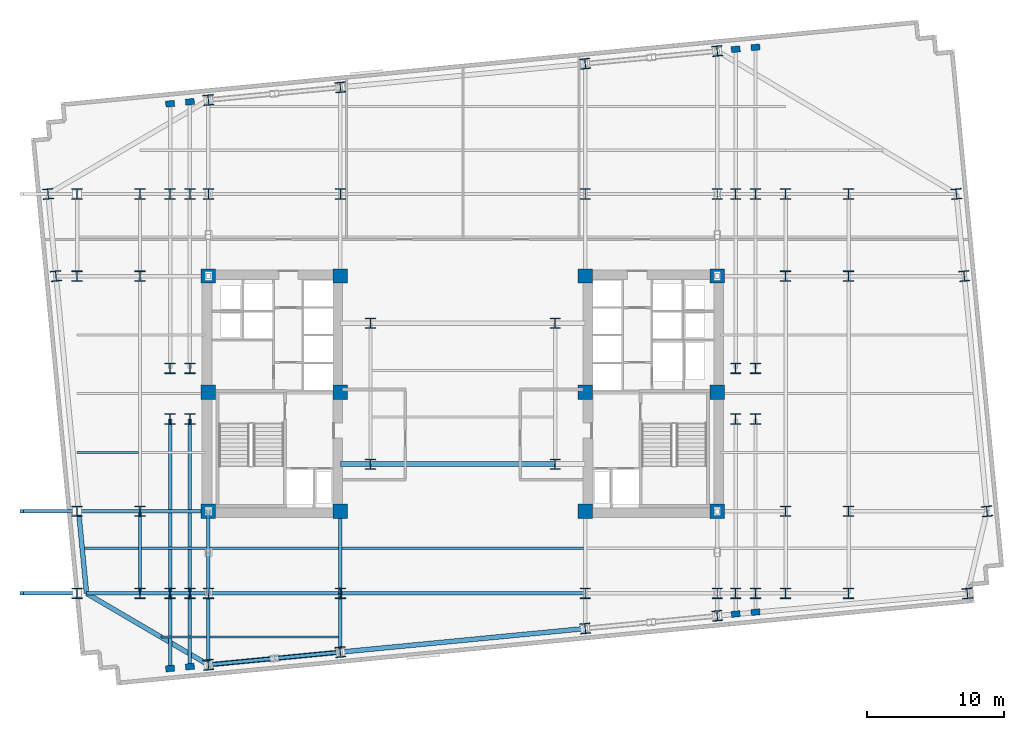
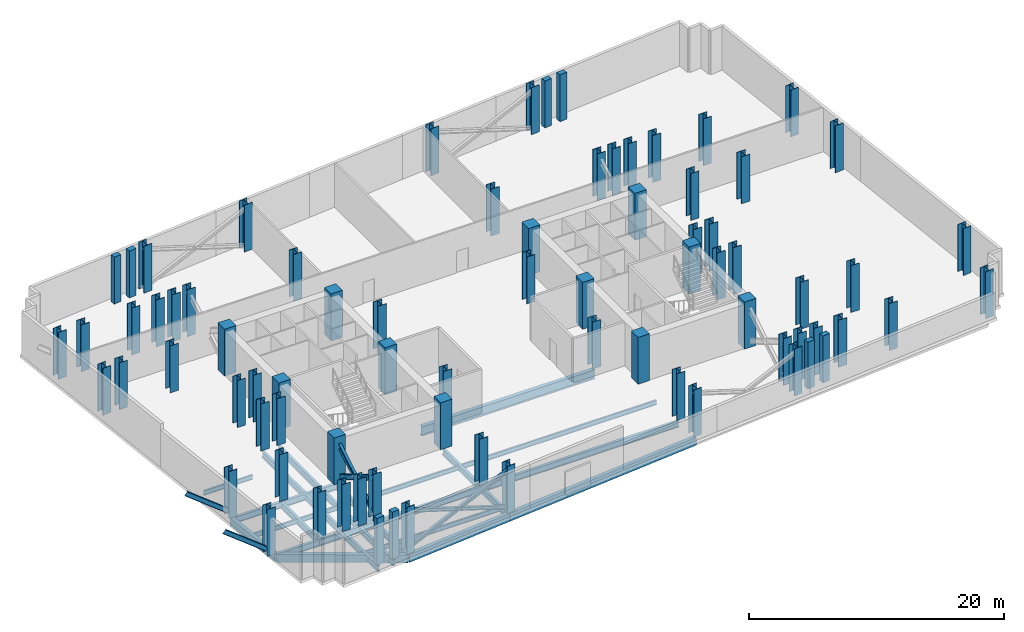
# One storey, part 1 of 9: 78 columns, 28 beams, 8 members.
"""IFC4 building model written with IfcOpenShell, lengths in metres."""

from ifc_helpers import new_model, si_unit, direction, frame, origin, origin_2d, place, context, subcontext, project, spatial, rectangle, i_section, extrude, material, material_profile, profile_set, type_object, element, save


model = new_model("IFC4")

# Units and contexts
model_context = context("Model", 3, precision=1e-05, world=origin(), true_north=direction((0.0, 1.0)))
body_context = subcontext(model_context, "Body", "Model", "MODEL_VIEW")
ifc_project = project(units=[si_unit("LENGTHUNIT", "METRE"), si_unit("AREAUNIT", "SQUARE_METRE"), si_unit("VOLUMEUNIT", "CUBIC_METRE"), si_unit("PLANEANGLEUNIT", "RADIAN"), si_unit("MASSUNIT", "GRAM", prefix="KILO")], contexts=[model_context])

# Site, building, storey
site_placement = place(None, origin())
site = spatial("IfcSite", under=ifc_project, at=site_placement, CompositionType="ELEMENT")
building_placement = place(site_placement, origin())
building = spatial("IfcBuilding", under=site, at=building_placement, Name="Velakula Bourse", CompositionType="ELEMENT")
storey_placement = place(building_placement, frame((0.0, 0.0, 112.14990234375)))
storey = spatial("IfcBuildingStorey", under=building, at=storey_placement, Name="L30", CompositionType="ELEMENT", Elevation=112.14990234375)

# Columns
ifc_material_1 = material(Name="Concrete M70 (fck 70 MPa)", Category="concrete")
ifc_material_profile_1 = material_profile(ifc_material_1, rectangle(XDim=1.050048828125, YDim=1.050048828125, at=origin_2d()), Name="Concrete M70 (fck 70 MPa)")
ifc_profile_set_1 = profile_set([ifc_material_profile_1], Name="Concrete M70 (fck 70 MPa)")
column_type_1 = type_object("IfcColumnType", Name="COL-RC-1050", PredefinedType="COLUMN", material=ifc_profile_set_1)
for number, where, z_axis, x_axis, name in (
    (1, (-8.949951171875, -8.60009765625, 0.0), (0.0, 0.0, 1.0), (1.0, 0.0, 0.0), "L30 Core Boundary Column 01"),
    (2, (-8.949951171875, 0.10009765625, 0.0), (0.0, 0.0, 1.0), (1.0, 0.0, 0.0), "L30 Core Boundary Column 02"),
    (3, (-8.949951171875, 8.60009765625, 0.0), (0.0, 0.0, 1.0), (1.0, 0.0, 0.0), "L30 Core Boundary Column 03"),
    (4, (-18.60009765625, -8.60009765625, 0.0), (0.0, 0.0, 1.0), (1.0, 0.0, 0.0), "L30 Core Boundary Column 04"),
    (5, (-18.60009765625, 0.10009765625, 0.0), (0.0, 0.0, 1.0), (1.0, 0.0, 0.0), "L30 Core Boundary Column 05"),
    (6, (-18.60009765625, 8.60009765625, 0.0), (0.0, 0.0, 1.0), (1.0, 0.0, 0.0), "L30 Core Boundary Column 06"),
    (7, (8.949951171875, -8.60009765625, 0.0), (0.0, 0.0, 1.0), (1.0, 0.0, 0.0), "L30 Core Boundary Column 07"),
    (8, (8.949951171875, 0.10009765625, 0.0), (0.0, 0.0, 1.0), (1.0, 0.0, 0.0), "L30 Core Boundary Column 08"),
    (9, (8.949951171875, 8.60009765625, 0.0), (0.0, 0.0, 1.0), (1.0, 0.0, 0.0), "L30 Core Boundary Column 09"),
    (10, (18.60009765625, -8.60009765625, 0.0), (0.0, 0.0, 1.0), (1.0, 0.0, 0.0), "L30 Core Boundary Column 10"),
    (11, (18.60009765625, 0.10009765625, 0.0), (0.0, 0.0, 1.0), (1.0, 0.0, 0.0), "L30 Core Boundary Column 11"),
    (12, (18.60009765625, 8.60009765625, 0.0), (0.0, 0.0, 1.0), (1.0, 0.0, 0.0), "L30 Core Boundary Column 12"),
):
    element("IfcColumn", number, at=place(storey_placement, frame(where, z_axis=z_axis, x_axis=x_axis)), inside=storey, type_object=column_type_1, Name=name, PredefinedType="COLUMN", context=body_context, shape_type="SweptSolid", body=[
        extrude(rectangle(XDim=1.050048828125, YDim=1.050048828125, at=origin_2d()), origin(), (0.0, 0.0, 1.0), 4.5),
    ])
ifc_material_2 = material(Name="Steel IS 2062 Grade 450 (E450)", Category="steel")
ifc_material_profile_2 = material_profile(ifc_material_2, i_section(OverallWidth=0.75, OverallDepth=0.75, WebThickness=0.030029296875, FlangeThickness=0.0439453125, at=origin_2d()), Name="Steel IS 2062 Grade 450 (E450)")
ifc_profile_set_2 = profile_set([ifc_material_profile_2], Name="Steel IS 2062 Grade 450 (E450)")
column_type_2 = type_object("IfcColumnType", Name="COL-STL-750", PredefinedType="COLUMN", material=ifc_profile_set_2)
for number, where, z_axis, x_axis, name in (
    (13, (-6.75, -5.14990234375, 0.0), (0.0, 0.0, 1.0), (1.0, 0.0, 0.0), "L30 Central Spine Column 01"),
    (14, (-6.75, 5.14990234375, 0.0), (0.0, 0.0, 1.0), (1.0, 0.0, 0.0), "L30 Central Spine Column 02"),
    (15, (6.75, -5.14990234375, 0.0), (0.0, 0.0, 1.0), (1.0, 0.0, 0.0), "L30 Central Spine Column 03"),
    (16, (6.75, 5.14990234375, 0.0), (0.0, 0.0, 1.0), (1.0, 0.0, 0.0), "L30 Central Spine Column 04"),
    (17, (-21.39990234375, -14.60009765625, 0.0), (0.0, 0.0, 1.0), (1.0, 0.0, 0.0), "L30 Tower Fulcrum Column 01"),
    (18, (-21.39990234375, 14.60009765625, 0.0), (0.0, 0.0, 1.0), (1.0, 0.0, 0.0), "L30 Tower Fulcrum Column 02"),
    (19, (-19.949951171875, -14.60009765625, 0.0), (0.0, 0.0, 1.0), (1.0, 0.0, 0.0), "L30 Tower Fulcrum Column 03"),
    (20, (-19.949951171875, 14.60009765625, 0.0), (0.0, 0.0, 1.0), (1.0, 0.0, 0.0), "L30 Tower Fulcrum Column 04"),
    (21, (-18.60009765625, -14.60009765625, 0.0), (0.0, 0.0, 1.0), (1.0, 0.0, 0.0), "L30 Tower Fulcrum Column 05"),
    (22, (-18.60009765625, 14.60009765625, 0.0), (0.0, 0.0, 1.0), (1.0, 0.0, 0.0), "L30 Tower Fulcrum Column 06"),
    (23, (-8.949951171875, -14.60009765625, 0.0), (0.0, 0.0, 1.0), (1.0, 0.0, 0.0), "L30 Tower Fulcrum Column 07"),
    (24, (-8.949951171875, 14.60009765625, 0.0), (0.0, 0.0, 1.0), (1.0, 0.0, 0.0), "L30 Tower Fulcrum Column 08"),
    (25, (8.949951171875, -14.60009765625, 0.0), (0.0, 0.0, 1.0), (1.0, 0.0, 0.0), "L30 Tower Fulcrum Column 09"),
    (26, (8.949951171875, 14.60009765625, 0.0), (0.0, 0.0, 1.0), (1.0, 0.0, 0.0), "L30 Tower Fulcrum Column 10"),
    (27, (18.60009765625, -14.60009765625, 0.0), (0.0, 0.0, 1.0), (1.0, 0.0, 0.0), "L30 Tower Fulcrum Column 11"),
    (28, (18.60009765625, 14.60009765625, 0.0), (0.0, 0.0, 1.0), (1.0, 0.0, 0.0), "L30 Tower Fulcrum Column 12"),
    (29, (19.949951171875, -14.60009765625, 0.0), (0.0, 0.0, 1.0), (1.0, 0.0, 0.0), "L30 Tower Fulcrum Column 13"),
    (30, (19.949951171875, 14.60009765625, 0.0), (0.0, 0.0, 1.0), (1.0, 0.0, 0.0), "L30 Tower Fulcrum Column 14"),
    (31, (21.39990234375, -14.60009765625, 0.0), (0.0, 0.0, 1.0), (1.0, 0.0, 0.0), "L30 Tower Fulcrum Column 15"),
    (32, (21.39990234375, 14.60009765625, 0.0), (0.0, 0.0, 1.0), (1.0, 0.0, 0.0), "L30 Tower Fulcrum Column 16"),
    (33, (-21.39990234375, -1.85009765625, 0.0), (0.0, 0.0, 1.0), (1.0, 0.0, 0.0), "L30 Tower Fulcrum Column 17"),
    (34, (-21.39990234375, 1.85009765625, 0.0), (0.0, 0.0, 1.0), (1.0, 0.0, 0.0), "L30 Tower Fulcrum Column 18"),
    (35, (-19.949951171875, -1.85009765625, 0.0), (0.0, 0.0, 1.0), (1.0, 0.0, 0.0), "L30 Tower Fulcrum Column 19"),
    (36, (-19.949951171875, 1.85009765625, 0.0), (0.0, 0.0, 1.0), (1.0, 0.0, 0.0), "L30 Tower Fulcrum Column 20"),
    (37, (19.949951171875, -1.85009765625, 0.0), (0.0, 0.0, 1.0), (1.0, 0.0, 0.0), "L30 Tower Fulcrum Column 21"),
    (38, (19.949951171875, 1.85009765625, 0.0), (0.0, 0.0, 1.0), (1.0, 0.0, 0.0), "L30 Tower Fulcrum Column 22"),
    (39, (21.39990234375, -1.85009765625, 0.0), (0.0, 0.0, 1.0), (1.0, 0.0, 0.0), "L30 Tower Fulcrum Column 23"),
    (40, (21.39990234375, 1.85009765625, 0.0), (0.0, 0.0, 1.0), (1.0, 0.0, 0.0), "L30 Tower Fulcrum Column 24"),
    (41, (-23.60009765625, -14.60009765625, 0.0), (0.0, 0.0, 1.0), (1.0, 0.0, 0.0), "L30 Mid-Wing Plumb Column 01"),
    (42, (-23.60009765625, -8.60009765625, 0.0), (0.0, 0.0, 1.0), (1.0, 0.0, 0.0), "L30 Mid-Wing Plumb Column 02"),
    (43, (-23.60009765625, 8.60009765625, 0.0), (0.0, 0.0, 1.0), (1.0, 0.0, 0.0), "L30 Mid-Wing Plumb Column 03"),
    (44, (-23.60009765625, 14.60009765625, 0.0), (0.0, 0.0, 1.0), (1.0, 0.0, 0.0), "L30 Mid-Wing Plumb Column 04"),
    (45, (23.60009765625, -14.60009765625, 0.0), (0.0, 0.0, 1.0), (1.0, 0.0, 0.0), "L30 Mid-Wing Plumb Column 05"),
    (46, (23.60009765625, -8.60009765625, 0.0), (0.0, 0.0, 1.0), (1.0, 0.0, 0.0), "L30 Mid-Wing Plumb Column 06"),
    (47, (23.60009765625, 8.60009765625, 0.0), (0.0, 0.0, 1.0), (1.0, 0.0, 0.0), "L30 Mid-Wing Plumb Column 07"),
    (48, (23.60009765625, 14.60009765625, 0.0), (0.0, 0.0, 1.0), (1.0, 0.0, 0.0), "L30 Mid-Wing Plumb Column 08"),
    (49, (-28.199951171875, -14.60009765625, 0.0), (0.0, 0.0, 1.0), (1.0, 0.0, 0.0), "L30 Lower Wing Column 01"),
    (50, (-28.199951171875, -8.60009765625, 0.0), (0.0, 0.0, 1.0), (1.0, 0.0, 0.0), "L30 Lower Wing Column 02"),
    (51, (-28.199951171875, 8.60009765625, 0.0), (0.0, 0.0, 1.0), (1.0, 0.0, 0.0), "L30 Lower Wing Column 03"),
    (52, (-28.199951171875, 14.60009765625, 0.0), (0.0, 0.0, 1.0), (1.0, 0.0, 0.0), "L30 Lower Wing Column 04"),
    (53, (28.199951171875, -14.60009765625, 0.0), (0.0, 0.0, 1.0), (1.0, 0.0, 0.0), "L30 Lower Wing Column 05"),
    (54, (28.199951171875, -8.60009765625, 0.0), (0.0, 0.0, 1.0), (1.0, 0.0, 0.0), "L30 Lower Wing Column 06"),
    (55, (28.199951171875, 8.60009765625, 0.0), (0.0, 0.0, 1.0), (1.0, 0.0, 0.0), "L30 Lower Wing Column 07"),
    (56, (28.199951171875, 14.60009765625, 0.0), (0.0, 0.0, 1.0), (1.0, 0.0, 0.0), "L30 Lower Wing Column 08"),
    (57, (-18.60009765625, -19.8212890625, 0.0), (0.0, 0.0, 1.0), (0.995396198367, 0.09584575252, 0.0), "L30 Block B2 Perimeter Column S1"),
    (58, (-8.949951171875, -18.89208984375, 0.0), (0.0, 0.0, 1.0), (0.995396198367, 0.09584575252, 0.0), "L30 Block B2 Perimeter Column S2"),
    (59, (8.949951171875, -17.16845703125, 0.0), (0.0, 0.0, 1.0), (0.995396198367, 0.09584575252, 0.0), "L30 Block B2 Perimeter Column S3"),
    (60, (18.60009765625, -16.2392578125, 0.0), (0.0, 0.0, 1.0), (0.995396198367, 0.09584575252, 0.0), "L30 Block B2 Perimeter Column S4"),
    (61, (-18.60009765625, 21.468994140625, 0.0), (0.0, 0.0, 1.0), (0.995396198367, 0.09584575252, 0.0), "L30 Block B2 Perimeter Column N1"),
    (62, (-8.949951171875, 22.398193359375, 0.0), (0.0, 0.0, 1.0), (0.995396198367, 0.09584575252, 0.0), "L30 Block B2 Perimeter Column N2"),
    (63, (8.949951171875, 24.12158203125, 0.0), (0.0, 0.0, 1.0), (0.995396198367, 0.09584575252, 0.0), "L30 Block B2 Perimeter Column N3"),
    (64, (18.60009765625, 25.05078125, 0.0), (0.0, 0.0, 1.0), (0.995396198367, 0.09584575252, 0.0), "L30 Block B2 Perimeter Column N4"),
    (65, (-29.7421875, 8.60009765625, 0.0), (0.0, 0.0, 1.0), (0.995396198367, 0.09584575252, 0.0), "L30 Block B2 Perimeter Column W3"),
    (66, (-30.31982421875, 14.60009765625, 0.0), (0.0, 0.0, 1.0), (0.995396198367, 0.09584575252, 0.0), "L30 Block B2 Perimeter Column W4"),
    (67, (36.88818359375, -14.60009765625, 0.0), (0.0, 0.0, 1.0), (0.995396198367, 0.09584575252, 0.0), "L30 Block B2 Perimeter Column E1"),
    (68, (38.31982421875, -8.60009765625, 0.0), (0.0, 0.0, 1.0), (0.995396198367, 0.09584575252, 0.0), "L30 Block B2 Perimeter Column E2"),
    (69, (36.66357421875, 8.60009765625, 0.0), (0.0, 0.0, 1.0), (0.995396198367, 0.09584575252, 0.0), "L30 Block B2 Perimeter Column E3"),
    (70, (36.0859375, 14.60009765625, 0.0), (0.0, 0.0, 1.0), (0.995396198367, 0.09584575252, 0.0), "L30 Block B2 Perimeter Column E4"),
):
    element("IfcColumn", number, at=place(storey_placement, frame(where, z_axis=z_axis, x_axis=x_axis)), inside=storey, type_object=column_type_2, Name=name, PredefinedType="COLUMN", context=body_context, shape_type="SweptSolid", body=[
        extrude(i_section(OverallWidth=0.75, OverallDepth=0.75, WebThickness=0.030029296875, FlangeThickness=0.0439453125, at=origin_2d()), origin(), (0.0, 0.0, 1.0), 4.5),
    ])
ifc_material_3 = material(Name="Precast concrete M45 (fck 45 MPa)", Category="concrete")
ifc_material_profile_3 = material_profile(ifc_material_3, rectangle(XDim=0.64990234375, YDim=0.449951171875, at=origin_2d()), Name="Precast concrete M45 (fck 45 MPa)")
ifc_profile_set_3 = profile_set([ifc_material_profile_3], Name="Precast concrete M45 (fck 45 MPa)")
column_type_3 = type_object("IfcColumnType", Name="PIL-BRICK-650", PredefinedType="PILASTER", material=ifc_profile_set_3)
for number, where, z_axis, x_axis, name in (
    (71, (-21.39990234375, -20.0908203125, 0.0), (0.0, 0.0, 1.0), (0.995396198367, 0.09584575252, 0.0), "L30 Brick Pier Pilaster 01"),
    (72, (-19.949951171875, -19.951171875, 0.0), (0.0, 0.0, 1.0), (0.995396198367, 0.09584575252, 0.0), "L30 Brick Pier Pilaster 02"),
    (73, (19.949951171875, -16.109130859375, 0.0), (0.0, 0.0, 1.0), (0.995396198367, 0.09584575252, 0.0), "L30 Brick Pier Pilaster 03"),
    (74, (21.39990234375, -15.969482421875, 0.0), (0.0, 0.0, 1.0), (0.995396198367, 0.09584575252, 0.0), "L30 Brick Pier Pilaster 04"),
    (75, (-21.39990234375, 21.19921875, 0.0), (0.0, 0.0, 1.0), (0.995396198367, 0.09584575252, 0.0), "L30 Brick Pier Pilaster 05"),
    (76, (-19.949951171875, 21.3388671875, 0.0), (0.0, 0.0, 1.0), (0.995396198367, 0.09584575252, 0.0), "L30 Brick Pier Pilaster 06"),
    (77, (19.949951171875, 25.180908203125, 0.0), (0.0, 0.0, 1.0), (0.995396198367, 0.09584575252, 0.0), "L30 Brick Pier Pilaster 07"),
    (78, (21.39990234375, 25.320556640625, 0.0), (0.0, 0.0, 1.0), (0.995396198367, 0.09584575252, 0.0), "L30 Brick Pier Pilaster 08"),
):
    element("IfcColumn", number, at=place(storey_placement, frame(where, z_axis=z_axis, x_axis=x_axis)), inside=storey, type_object=column_type_3, Name=name, PredefinedType="PILASTER", context=body_context, shape_type="SweptSolid", body=[
        extrude(rectangle(XDim=0.64990234375, YDim=0.449951171875, at=origin_2d()), origin(), (0.0, 0.0, 1.0), 4.5),
    ])

# Beams
ifc_material_4 = material(Name="Steel IS 2062 Grade 350 (E350)", Category="steel")
ifc_material_profile_4 = material_profile(ifc_material_4, i_section(OverallWidth=0.25, OverallDepth=0.60009765625, WebThickness=0.01123046875, FlangeThickness=0.021240234375, at=origin_2d()), Name="Steel IS 2062 Grade 350 (E350)")
ifc_profile_set_4 = profile_set([ifc_material_profile_4], Name="Steel IS 2062 Grade 350 (E350)")
beam_type_1 = type_object("IfcBeamType", Name="BM-GRD-600M", PredefinedType="BEAM", material=ifc_profile_set_4)
for number, where, z_axis, x_axis, name in (
    (79, (-18.60009765625, -14.60009765625, -0.579833984375), (0.0, 1.0, 0.0), (-1.0, 0.0, 0.0), "L30 Fulcrum Grid Girder FLC-WS"),
    (80, (-8.949951171875, -14.60009765625, -0.579833984375), (0.0, 1.0, 0.0), (-1.0, 0.0, 0.0), "L30 Fulcrum Grid Girder FLC-WCS"),
):
    element("IfcBeam", number, at=place(storey_placement, frame(where, z_axis=z_axis, x_axis=x_axis)), inside=storey, type_object=beam_type_1, Name=name, PredefinedType="BEAM", context=body_context, shape_type="SweptSolid", body=[
        extrude(i_section(OverallWidth=0.25, OverallDepth=0.60009765625, WebThickness=0.01123046875, FlangeThickness=0.021240234375, at=origin_2d()), origin(), (0.0, 0.0, 1.0), 6.0),
    ])
beam_1_placement = place(storey_placement, frame((-18.60009765625, -14.60009765625, -0.579833984375), z_axis=(1.0, 0.0, 0.0), x_axis=(0.0, 1.0, 0.0)))
element("IfcBeam", 81, at=beam_1_placement, inside=storey, type_object=beam_type_1, Name="L30 Fulcrum Grid Girder FLC-S1", PredefinedType="BEAM", context=body_context, shape_type="SweptSolid", body=[
    extrude(i_section(OverallWidth=0.25, OverallDepth=0.60009765625, WebThickness=0.01123046875, FlangeThickness=0.021240234375, at=origin_2d()), origin(), (0.0, 0.0, 1.0), 9.650146484375),
])
beam_2_placement = place(storey_placement, frame((-8.949951171875, -14.60009765625, -0.579833984375), z_axis=(1.0, 0.0, 0.0), x_axis=(0.0, 1.0, 0.0)))
element("IfcBeam", 82, at=beam_2_placement, inside=storey, type_object=beam_type_1, Name="L30 Fulcrum Grid Girder FLC-S2", PredefinedType="BEAM", context=body_context, shape_type="SweptSolid", body=[
    extrude(i_section(OverallWidth=0.25, OverallDepth=0.60009765625, WebThickness=0.01123046875, FlangeThickness=0.021240234375, at=origin_2d()), origin(), (0.0, 0.0, 1.0), 17.89990234375),
])
for number, where, z_axis, x_axis, name in (
    (83, (-21.39990234375, -14.60009765625, -0.579833984375), (0.0, 1.0, 0.0), (-1.0, 0.0, 0.0), "L30 Fulcrum Grid Girder FLC-PSW1"),
    (84, (-19.949951171875, -14.60009765625, -0.579833984375), (0.0, 1.0, 0.0), (-1.0, 0.0, 0.0), "L30 Fulcrum Grid Girder FLC-PSW2"),
):
    element("IfcBeam", number, at=place(storey_placement, frame(where, z_axis=z_axis, x_axis=x_axis)), inside=storey, type_object=beam_type_1, Name=name, PredefinedType="BEAM", context=body_context, shape_type="SweptSolid", body=[
        extrude(i_section(OverallWidth=0.25, OverallDepth=0.60009765625, WebThickness=0.01123046875, FlangeThickness=0.021240234375, at=origin_2d()), origin(), (0.0, 0.0, 1.0), 12.75),
    ])
for number, where, z_axis, x_axis, name in (
    (85, (-23.60009765625, -14.60009765625, -0.579833984375), (1.0, 0.0, 0.0), (0.0, 1.0, 0.0), "L30 Fulcrum Grid Girder MWG-WS1"),
    (86, (-23.60009765625, -8.60009765625, -0.579833984375), (1.0, 0.0, 0.0), (0.0, 1.0, 0.0), "L30 Fulcrum Grid Girder MWG-WS2"),
):
    element("IfcBeam", number, at=place(storey_placement, frame(where, z_axis=z_axis, x_axis=x_axis)), inside=storey, type_object=beam_type_1, Name=name, PredefinedType="BEAM", context=body_context, shape_type="SweptSolid", body=[
        extrude(i_section(OverallWidth=0.25, OverallDepth=0.60009765625, WebThickness=0.01123046875, FlangeThickness=0.021240234375, at=origin_2d()), origin(), (0.0, 0.0, 1.0), 5.0),
    ])
beam_3_placement = place(storey_placement, frame((-23.60009765625, -14.60009765625, -0.579833984375), z_axis=(0.0, 1.0, 0.0), x_axis=(-1.0, 0.0, 0.0)))
element("IfcBeam", 87, at=beam_3_placement, inside=storey, type_object=beam_type_1, Name="L30 Fulcrum Grid Girder MWG-WNS1", PredefinedType="BEAM", context=body_context, shape_type="SweptSolid", body=[
    extrude(i_section(OverallWidth=0.25, OverallDepth=0.60009765625, WebThickness=0.01123046875, FlangeThickness=0.021240234375, at=origin_2d()), origin(), (0.0, 0.0, 1.0), 6.0),
])
beam_4_placement = place(storey_placement, frame((-27.50830078125, -14.60009765625, -0.579833984375), z_axis=(1.0, 0.0, 0.0), x_axis=(0.0, 1.0, 0.0)))
element("IfcBeam", 88, at=beam_4_placement, inside=storey, type_object=beam_type_1, Name="L30 Fulcrum Grid Girder WNG-WS1", PredefinedType="BEAM", context=body_context, shape_type="SweptSolid", body=[
    extrude(i_section(OverallWidth=0.25, OverallDepth=0.60009765625, WebThickness=0.01123046875, FlangeThickness=0.021240234375, at=origin_2d()), origin(), (0.0, 0.0, 1.0), 3.908203125),
])
beam_5_placement = place(storey_placement, frame((-28.0859375, -8.60009765625, -0.579833984375), z_axis=(1.0, 0.0, 0.0), x_axis=(0.0, 1.0, 0.0)))
element("IfcBeam", 89, at=beam_5_placement, inside=storey, type_object=beam_type_1, Name="L30 Fulcrum Grid Girder WNG-WS2", PredefinedType="BEAM", context=body_context, shape_type="SweptSolid", body=[
    extrude(i_section(OverallWidth=0.25, OverallDepth=0.60009765625, WebThickness=0.01123046875, FlangeThickness=0.021240234375, at=origin_2d()), origin(), (0.0, 0.0, 1.0), 4.48583984375),
])
beam_6_placement = place(storey_placement, frame((-18.60009765625, -14.60009765625, -0.579833984375), z_axis=(0.0, -1.0, 0.0), x_axis=(1.0, 0.0, 0.0)))
element("IfcBeam", 90, at=beam_6_placement, inside=storey, type_object=beam_type_1, Name="L30 Perimeter Tie Girder S1", PredefinedType="BEAM", context=body_context, shape_type="SweptSolid", body=[
    extrude(i_section(OverallWidth=0.25, OverallDepth=0.60009765625, WebThickness=0.01123046875, FlangeThickness=0.021240234375, at=origin_2d()), origin(), (0.0, 0.0, 1.0), 5.22119140625),
])
beam_7_placement = place(storey_placement, frame((-8.949951171875, -14.60009765625, -0.579833984375), z_axis=(0.0, -1.0, 0.0), x_axis=(1.0, 0.0, 0.0)))
element("IfcBeam", 91, at=beam_7_placement, inside=storey, type_object=beam_type_1, Name="L30 Perimeter Tie Girder S2", PredefinedType="BEAM", context=body_context, shape_type="SweptSolid", body=[
    extrude(i_section(OverallWidth=0.25, OverallDepth=0.60009765625, WebThickness=0.01123046875, FlangeThickness=0.021240234375, at=origin_2d()), origin(), (0.0, 0.0, 1.0), 4.2919921875),
])
beam_8_placement = place(storey_placement, frame((-21.39990234375, -14.60009765625, -0.579833984375), z_axis=(0.0, -1.0, 0.0), x_axis=(1.0, 0.0, 0.0)))
element("IfcBeam", 92, at=beam_8_placement, inside=storey, type_object=beam_type_1, Name="L30 Perimeter Tie Girder P01", PredefinedType="BEAM", context=body_context, shape_type="SweptSolid", body=[
    extrude(i_section(OverallWidth=0.25, OverallDepth=0.60009765625, WebThickness=0.01123046875, FlangeThickness=0.021240234375, at=origin_2d()), origin(), (0.0, 0.0, 1.0), 5.49072265625),
])
beam_9_placement = place(storey_placement, frame((-19.949951171875, -14.60009765625, -0.579833984375), z_axis=(0.0, -1.0, 0.0), x_axis=(1.0, 0.0, 0.0)))
element("IfcBeam", 93, at=beam_9_placement, inside=storey, type_object=beam_type_1, Name="L30 Perimeter Tie Girder P02", PredefinedType="BEAM", context=body_context, shape_type="SweptSolid", body=[
    extrude(i_section(OverallWidth=0.25, OverallDepth=0.60009765625, WebThickness=0.01123046875, FlangeThickness=0.021240234375, at=origin_2d()), origin(), (0.0, 0.0, 1.0), 5.35107421875),
])
ifc_material_profile_5 = material_profile(ifc_material_4, i_section(OverallWidth=0.35009765625, OverallDepth=0.89990234375, WebThickness=0.02001953125, FlangeThickness=0.031982421875, at=origin_2d()), Name="Steel IS 2062 Grade 350 (E350)")
ifc_profile_set_5 = profile_set([ifc_material_profile_5], Name="Steel IS 2062 Grade 350 (E350)")
beam_type_2 = type_object("IfcBeamType", Name="BM-LNK-900", PredefinedType="BEAM", material=ifc_profile_set_5)
beam_10_placement = place(storey_placement, frame((-8.949951171875, -5.14990234375, -0.72998046875), z_axis=(1.0, 0.0, 0.0), x_axis=(0.0, 1.0, 0.0)))
element("IfcBeam", 94, at=beam_10_placement, inside=storey, type_object=beam_type_2, Name="L30 Primary Backbone Girder LNK-S1", PredefinedType="BEAM", context=body_context, shape_type="SweptSolid", body=[
    extrude(i_section(OverallWidth=0.35009765625, OverallDepth=0.89990234375, WebThickness=0.02001953125, FlangeThickness=0.031982421875, at=origin_2d()), origin(), (0.0, 0.0, 1.0), 2.199951171875),
])
beam_11_placement = place(storey_placement, frame((-6.75, -5.14990234375, -0.72998046875), z_axis=(1.0, 0.0, 0.0), x_axis=(0.0, 1.0, 0.0)))
element("IfcBeam", 95, at=beam_11_placement, inside=storey, type_object=beam_type_2, Name="L30 Primary Backbone Girder LNK-S2", PredefinedType="BEAM", context=body_context, shape_type="SweptSolid", body=[
    extrude(i_section(OverallWidth=0.35009765625, OverallDepth=0.89990234375, WebThickness=0.02001953125, FlangeThickness=0.031982421875, at=origin_2d()), origin(), (0.0, 0.0, 1.0), 13.5),
])

# Members
ifc_material_profile_6 = material_profile(ifc_material_4, i_section(OverallWidth=0.25, OverallDepth=0.300048828125, WebThickness=0.009521484375, FlangeThickness=0.010498046875, at=origin_2d()), Name="Steel IS 2062 Grade 350 (E350)")
ifc_profile_set_6 = profile_set([ifc_material_profile_6], Name="Steel IS 2062 Grade 350 (E350)")
member_type_1 = type_object("IfcMemberType", Name="BR-BLT-300", PredefinedType="BRACE", material=ifc_profile_set_6)
member_1_placement = place(storey_placement, frame((-18.60009765625, -19.8212890625, 0.300048828125), z_axis=(0.934076090828, 0.089940891079, 0.345561127234), x_axis=(-0.095845323155, 0.99539623971, 0.0)))
element("IfcMember", 96, at=member_1_placement, inside=storey, type_object=member_type_1, Name="L30 Continuous Outrigger and Belt X-Brace BT-S1", PredefinedType="BRACE", context=body_context, shape_type="SweptSolid", body=[
    extrude(i_section(OverallWidth=0.25, OverallDepth=0.300048828125, WebThickness=0.009521484375, FlangeThickness=0.010498046875, at=origin_2d()), origin(), (0.0, 0.0, 1.0), 10.331298828125),
])
for number, where, z_axis, x_axis, name in (
    (97, (-8.949951171875, -18.89208984375, 0.300048828125), (-0.934084021922, -0.089920403816, 0.345545020175), (0.095822885289, -0.995398399966, 0.0), "L30 Split X-Brace Lower Segment BT-S2A"),
    (98, (-13.90576171875, -19.369140625, 2.133544921875), (-0.934079940509, -0.089968590068, 0.345543510341), (0.095874177742, -0.99539346092, 0.0), "L30 Split X-Brace Upper Segment BT-S2B"),
):
    element("IfcMember", number, at=place(storey_placement, frame(where, z_axis=z_axis, x_axis=x_axis)), inside=storey, type_object=member_type_1, Name=name, PredefinedType="BRACE", context=body_context, shape_type="SweptSolid", body=[
        extrude(i_section(OverallWidth=0.25, OverallDepth=0.300048828125, WebThickness=0.009521484375, FlangeThickness=0.010498046875, at=origin_2d()), origin(), (0.0, 0.0, 1.0), 5.025634765625),
    ])
ifc_material_profile_7 = material_profile(ifc_material_4, i_section(OverallWidth=0.25, OverallDepth=0.449951171875, WebThickness=0.01123046875, FlangeThickness=0.013671875, at=origin_2d()), Name="Steel IS 2062 Grade 350 (E350)")
ifc_profile_set_7 = profile_set([ifc_material_profile_7], Name="Steel IS 2062 Grade 350 (E350)")
member_type_2 = type_object("IfcMemberType", Name="BR-OTR-450", PredefinedType="BRACE", material=ifc_profile_set_7)
member_2_placement = place(storey_placement, frame((-18.60009765625, -8.60009765625, 0.300048828125), z_axis=(0.0, -0.859378499817, 0.511339998487), x_axis=(1.0, 0.0, 0.0)))
element("IfcMember", 99, at=member_2_placement, inside=storey, type_object=member_type_2, Name="L30 Continuous Outrigger and Belt X-Brace OT-NS1", PredefinedType="BRACE", context=body_context, shape_type="SweptSolid", body=[
    extrude(i_section(OverallWidth=0.25, OverallDepth=0.449951171875, WebThickness=0.01123046875, FlangeThickness=0.013671875, at=origin_2d()), origin(), (0.0, 0.0, 1.0), 6.981689453125),
])
member_3_placement = place(storey_placement, frame((-18.60009765625, -14.60009765625, 0.300048828125), z_axis=(0.0, 0.859402650947, 0.511299406947), x_axis=(-1.0, 0.0, 0.0)))
element("IfcMember", 100, at=member_3_placement, inside=storey, type_object=member_type_2, Name="L30 Split X-Brace Lower Segment OT-NS2A", PredefinedType="BRACE", context=body_context, shape_type="SweptSolid", body=[
    extrude(i_section(OverallWidth=0.25, OverallDepth=0.449951171875, WebThickness=0.01123046875, FlangeThickness=0.013671875, at=origin_2d()), origin(), (0.0, 0.0, 1.0), 3.35107421875),
])
member_4_placement = place(storey_placement, frame((-18.60009765625, -11.479736328125, 2.15673828125), z_axis=(0.0, 0.859383602776, 0.511331422152), x_axis=(-1.0, 0.0, 0.0)))
element("IfcMember", 101, at=member_4_placement, inside=storey, type_object=member_type_2, Name="L30 Split X-Brace Upper Segment OT-NS2B", PredefinedType="BRACE", context=body_context, shape_type="SweptSolid", body=[
    extrude(i_section(OverallWidth=0.25, OverallDepth=0.449951171875, WebThickness=0.01123046875, FlangeThickness=0.013671875, at=origin_2d()), origin(), (0.0, 0.0, 1.0), 3.350830078125),
])
ifc_material_profile_8 = material_profile(ifc_material_4, i_section(OverallWidth=0.25, OverallDepth=0.39990234375, WebThickness=0.010498046875, FlangeThickness=0.0126953125, at=origin_2d()), Name="Steel IS 2062 Grade 350 (E350)")
ifc_profile_set_8 = profile_set([ifc_material_profile_8], Name="Steel IS 2062 Grade 350 (E350)")
member_type_3 = type_object("IfcMemberType", Name="BR-TRF-400", PredefinedType="BRACE", material=ifc_profile_set_8)
for number, where, z_axis, x_axis, name in (
    (102, (-28.199951171875, -14.60009765625, 0.300048828125), (-0.787451909253, 0.0, 0.616376095102), (0.0, -1.0, 0.0), "L30 Inclined Cantilever Transfer Raking Strut W1"),
    (103, (-28.199951171875, -8.60009765625, 0.300048828125), (-0.787451909253, 0.0, 0.616376095102), (0.0, -1.0, 0.0), "L30 Inclined Cantilever Transfer Raking Strut W2"),
):
    element("IfcMember", number, at=place(storey_placement, frame(where, z_axis=z_axis, x_axis=x_axis)), inside=storey, type_object=member_type_3, Name=name, PredefinedType="BRACE", context=body_context, shape_type="SweptSolid", body=[
        extrude(i_section(OverallWidth=0.25, OverallDepth=0.39990234375, WebThickness=0.010498046875, FlangeThickness=0.0126953125, at=origin_2d()), origin(), (0.0, 0.0, 1.0), 5.143310546875),
    ])

# Beams
ifc_material_profile_9 = material_profile(ifc_material_4, i_section(OverallWidth=0.14990234375, OverallDepth=0.449951171875, WebThickness=0.009521484375, FlangeThickness=0.017333984375, at=origin_2d()), Name="Steel IS 2062 Grade 350 (E350)")
ifc_profile_set_9 = profile_set([ifc_material_profile_9], Name="Steel IS 2062 Grade 350 (E350)")
beam_type_3 = type_object("IfcBeamType", Name="JST-TWR-450", PredefinedType="JOIST", material=ifc_profile_set_9)
beam_12_placement = place(storey_placement, frame((-22.048583984375, -17.800048828125, -0.5048828125), z_axis=(1.0, 0.0, 0.0), x_axis=(0.0, 1.0, 0.0)))
element("IfcBeam", 104, at=beam_12_placement, inside=storey, type_object=beam_type_3, Name="L30 Trading Floor Composite Joist 01", PredefinedType="JOIST", context=body_context, shape_type="SweptSolid", body=[
    extrude(i_section(OverallWidth=0.14990234375, OverallDepth=0.449951171875, WebThickness=0.009521484375, FlangeThickness=0.017333984375, at=origin_2d()), origin(), (0.0, 0.0, 1.0), 3.323486328125),
])
beam_13_placement = place(storey_placement, frame((-18.47509765625, -17.800048828125, -0.5048828125), z_axis=(1.0, 0.0, 0.0), x_axis=(0.0, 1.0, 0.0)))
element("IfcBeam", 105, at=beam_13_placement, inside=storey, type_object=beam_type_3, Name="L30 Trading Floor Composite Joist 02", PredefinedType="JOIST", context=body_context, shape_type="SweptSolid", body=[
    extrude(i_section(OverallWidth=0.14990234375, OverallDepth=0.449951171875, WebThickness=0.009521484375, FlangeThickness=0.017333984375, at=origin_2d()), origin(), (0.0, 0.0, 1.0), 9.400146484375),
])
beam_14_placement = place(storey_placement, frame((-27.650146484375, -11.300048828125, -0.5048828125), z_axis=(1.0, 0.0, 0.0), x_axis=(0.0, 1.0, 0.0)))
element("IfcBeam", 106, at=beam_14_placement, inside=storey, type_object=beam_type_3, Name="L30 Trading Floor Composite Joist 04", PredefinedType="JOIST", context=body_context, shape_type="SweptSolid", body=[
    extrude(i_section(OverallWidth=0.14990234375, OverallDepth=0.449951171875, WebThickness=0.009521484375, FlangeThickness=0.017333984375, at=origin_2d()), origin(), (0.0, 0.0, 1.0), 3.925048828125),
])
beam_15_placement = place(storey_placement, frame((-23.47509765625, -11.300048828125, -0.5048828125), z_axis=(1.0, 0.0, 0.0), x_axis=(0.0, 1.0, 0.0)))
element("IfcBeam", 107, at=beam_15_placement, inside=storey, type_object=beam_type_3, Name="L30 Trading Floor Composite Joist 05", PredefinedType="JOIST", context=body_context, shape_type="SweptSolid", body=[
    extrude(i_section(OverallWidth=0.14990234375, OverallDepth=0.449951171875, WebThickness=0.009521484375, FlangeThickness=0.017333984375, at=origin_2d()), origin(), (0.0, 0.0, 1.0), 4.75),
])
beam_16_placement = place(storey_placement, frame((-18.47509765625, -11.300048828125, -0.5048828125), z_axis=(1.0, 0.0, 0.0), x_axis=(0.0, 1.0, 0.0)))
element("IfcBeam", 108, at=beam_16_placement, inside=storey, type_object=beam_type_3, Name="L30 Trading Floor Composite Joist 06", PredefinedType="JOIST", context=body_context, shape_type="SweptSolid", body=[
    extrude(i_section(OverallWidth=0.14990234375, OverallDepth=0.449951171875, WebThickness=0.009521484375, FlangeThickness=0.017333984375, at=origin_2d()), origin(), (0.0, 0.0, 1.0), 9.400146484375),
])
beam_17_placement = place(storey_placement, frame((-8.824951171875, -11.300048828125, -0.5048828125), z_axis=(1.0, 0.0, 0.0), x_axis=(0.0, 1.0, 0.0)))
element("IfcBeam", 109, at=beam_17_placement, inside=storey, type_object=beam_type_3, Name="L30 Trading Floor Composite Joist 07", PredefinedType="JOIST", context=body_context, shape_type="SweptSolid", body=[
    extrude(i_section(OverallWidth=0.14990234375, OverallDepth=0.449951171875, WebThickness=0.009521484375, FlangeThickness=0.017333984375, at=origin_2d()), origin(), (0.0, 0.0, 1.0), 17.64990234375),
])
beam_18_placement = place(storey_placement, frame((-28.199951171875, -4.300048828125, -0.5048828125), z_axis=(1.0, 0.0, 0.0), x_axis=(0.0, 1.0, 0.0)))
element("IfcBeam", 110, at=beam_18_placement, inside=storey, type_object=beam_type_3, Name="L30 Trading Floor Composite Joist 33", PredefinedType="JOIST", context=body_context, shape_type="SweptSolid", body=[
    extrude(i_section(OverallWidth=0.14990234375, OverallDepth=0.449951171875, WebThickness=0.009521484375, FlangeThickness=0.017333984375, at=origin_2d()), origin(), (0.0, 0.0, 1.0), 4.474853515625),
])
ifc_material_profile_10 = material_profile(ifc_material_3, rectangle(XDim=0.35009765625, YDim=0.75, at=origin_2d()), Name="Precast concrete M45 (fck 45 MPa)")
ifc_profile_set_10 = profile_set([ifc_material_profile_10], Name="Precast concrete M45 (fck 45 MPa)")
beam_type_4 = type_object("IfcBeamType", Name="SPN-BRICK-750", PredefinedType="SPANDREL", material=ifc_profile_set_10)
beam_19_placement = place(storey_placement, frame((-18.60009765625, -19.8212890625, -0.65478515625), z_axis=(0.99539623971, 0.095845323155, 0.0), x_axis=(-0.095845323155, 0.99539623971, 0.0)))
element("IfcBeam", 111, at=beam_19_placement, inside=storey, type_object=beam_type_4, Name="L30 Brick-Faced Precast Spandrel S1-S2", PredefinedType="SPANDREL", context=body_context, shape_type="SweptSolid", body=[
    extrude(rectangle(XDim=0.35009765625, YDim=0.75, at=origin_2d()), origin(), (0.0, 0.0, 1.0), 9.69482421875),
])
beam_20_placement = place(storey_placement, frame((-8.949951171875, -18.89208984375, -0.65478515625), z_axis=(0.995395836254, 0.095849513134, 0.0), x_axis=(-0.095849513134, 0.995395836254, 0.0)))
element("IfcBeam", 112, at=beam_20_placement, inside=storey, type_object=beam_type_4, Name="L30 Brick-Faced Precast Spandrel S2-S3", PredefinedType="SPANDREL", context=body_context, shape_type="SweptSolid", body=[
    extrude(rectangle(XDim=0.35009765625, YDim=0.75, at=origin_2d()), origin(), (0.0, 0.0, 1.0), 17.982666015625),
])
beam_21_placement = place(storey_placement, frame((-27.50830078125, -14.60009765625, -0.65478515625), z_axis=(-0.095829714309, 0.995397742541, 0.0), x_axis=(-0.995397742541, -0.095829714309, 0.0)))
element("IfcBeam", 113, at=beam_21_placement, inside=storey, type_object=beam_type_4, Name="L30 Brick-Faced Precast Spandrel W1-W2", PredefinedType="SPANDREL", context=body_context, shape_type="SweptSolid", body=[
    extrude(rectangle(XDim=0.35009765625, YDim=0.75, at=origin_2d()), origin(), (0.0, 0.0, 1.0), 6.02783203125),
])
beam_22_placement = place(storey_placement, frame((-27.50830078125, -14.60009765625, -0.65478515625), z_axis=(0.862734250413, -0.505657604674, 0.0), x_axis=(0.505657604674, 0.862734250413, 0.0)))
element("IfcBeam", 114, at=beam_22_placement, inside=storey, type_object=beam_type_4, Name="L30 Brick-Faced Precast Spandrel W1-S1", PredefinedType="SPANDREL", context=body_context, shape_type="SweptSolid", body=[
    extrude(rectangle(XDim=0.35009765625, YDim=0.75, at=origin_2d()), origin(), (0.0, 0.0, 1.0), 10.325439453125),
])

save(model, "model.ifc")
